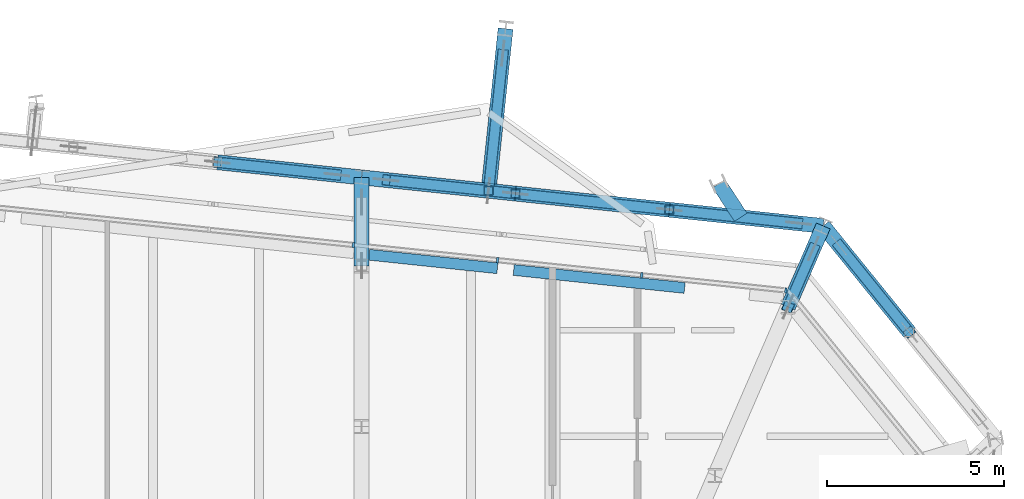
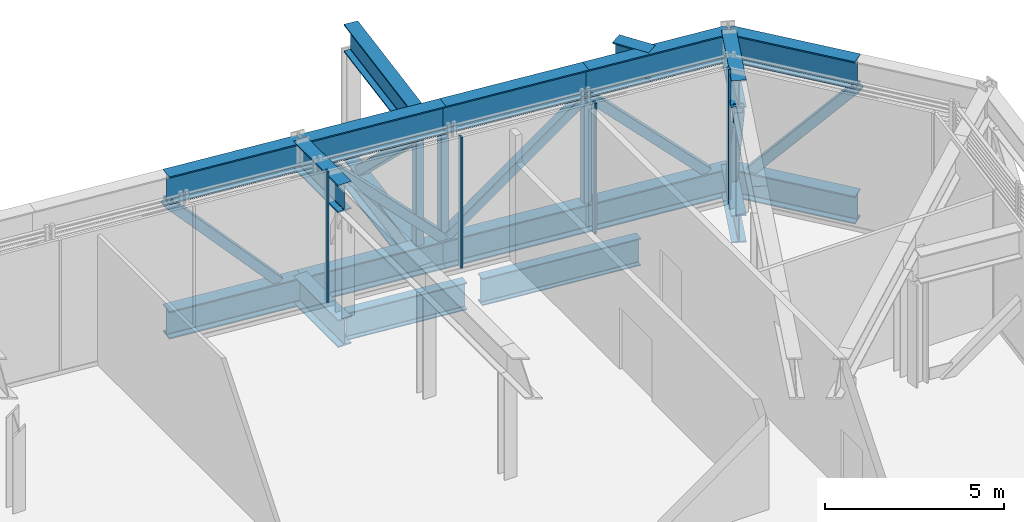
# One storey, part 19 of 36: 19 beams, 14 members, 1 element without a shape of its own.
"""IFC4 building model written with IfcOpenShell, lengths in metres."""

from ifc_helpers import new_model, si_unit, direction, frame, origin, origin_2d, place, context, subcontext, project, spatial, rectangle, hollow_rectangle, i_section, extrude, material, layer, layer_set, material_profile, profile_set, type_object, element, aggregate, save


model = new_model("IFC4")

# Units and contexts
model_context = context("Model", 3, precision=1e-05, world=origin(), true_north=direction((0.0, 1.0)))
body_context = subcontext(model_context, "Body", "Model", "MODEL_VIEW")
ifc_project = project(units=[si_unit("LENGTHUNIT", "METRE"), si_unit("AREAUNIT", "SQUARE_METRE"), si_unit("VOLUMEUNIT", "CUBIC_METRE"), si_unit("PLANEANGLEUNIT", "RADIAN"), si_unit("MASSUNIT", "GRAM", prefix="KILO")], contexts=[model_context])

# Site, building, storey
site_placement = place(None, origin())
site = spatial("IfcSite", under=ifc_project, at=site_placement, CompositionType="ELEMENT")
building_placement = place(site_placement, origin())
building = spatial("IfcBuilding", under=site, at=building_placement, Name="Millrace Tower", CompositionType="ELEMENT")
storey_placement = place(building_placement, frame((0.0, 0.0, 271.39990234375)))
storey = spatial("IfcBuildingStorey", under=building, at=storey_placement, Name="L62", CompositionType="ELEMENT", Elevation=271.39990234375)

# Curtain wall, members
ifc_material_1 = material(Name="Aluminium and glass", Category="aluminium")
ifc_layer = layer(ifc_material_1, 0.14990234375)
ifc_layer_set = layer_set([ifc_layer], Name="Aluminium and glass")
curtain_wall_type = type_object("IfcCurtainWallType", Name="CW-5 truss and plant storey louvred infill", PredefinedType="NOTDEFINED", material=ifc_layer_set)
curtain_wall_placement = place(storey_placement, origin())
curtain_wall = element("IfcCurtainWall", 1, at=curtain_wall_placement, inside=storey, type_object=curtain_wall_type, Name="Curtain wall E-F06 L62", PredefinedType="NOTDEFINED")
ifc_material_2 = material(Name="Aluminium", Category="aluminium")
ifc_material_profile_1 = material_profile(ifc_material_2, rectangle(XDim=0.06494140625, YDim=0.14990234375, at=origin_2d()))
ifc_profile_set_1 = profile_set([ifc_material_profile_1], Name="Aluminium")
member_type_1 = type_object("IfcMemberType", Name="CW-5 truss and plant storey louvred infill mullion", PredefinedType="MULLION", material=ifc_profile_set_1)
member_1_placement = place(storey_placement, frame((20.902587890625, 25.124755859375, 0.14013671875), z_axis=(0.0, 0.0, 1.0), x_axis=(-0.994521896217, 0.104528455196, 0.0)))
member_1 = element("IfcMember", 2, at=member_1_placement, type_object=member_type_1, Name="CW5 mullion E-F06.1", PredefinedType="MULLION", context=body_context, shape_type="SweptSolid", body=[
    extrude(rectangle(XDim=0.06494140625, YDim=0.14990234375, at=origin_2d()), origin(), (0.0, 0.0, 1.0), 4.4599609375),
])
member_2_placement = place(storey_placement, frame((16.824951171875, 25.553466796875, 0.14013671875), z_axis=(0.0, 0.0, 1.0), x_axis=(-0.994521896217, 0.104528455196, 0.0)))
member_2 = element("IfcMember", 3, at=member_2_placement, type_object=member_type_1, Name="CW5 mullion E-F06.2", PredefinedType="MULLION", context=body_context, shape_type="SweptSolid", body=[
    extrude(rectangle(XDim=0.06494140625, YDim=0.14990234375, at=origin_2d()), origin(), (0.0, 0.0, 1.0), 4.4599609375),
])
member_3_placement = place(storey_placement, frame((12.747314453125, 25.98193359375, 0.14013671875), z_axis=(0.0, 0.0, 1.0), x_axis=(-0.994521896217, 0.104528455196, 0.0)))
member_3 = element("IfcMember", 4, at=member_3_placement, type_object=member_type_1, Name="CW5 mullion E-F06.3", PredefinedType="MULLION", context=body_context, shape_type="SweptSolid", body=[
    extrude(rectangle(XDim=0.06494140625, YDim=0.14990234375, at=origin_2d()), origin(), (0.0, 0.0, 1.0), 4.4599609375),
])
member_4_placement = place(storey_placement, frame((8.669921875, 26.410400390625, 0.14013671875), z_axis=(0.0, 0.0, 1.0), x_axis=(-0.994521896217, 0.104528455196, 0.0)))
member_4 = element("IfcMember", 5, at=member_4_placement, type_object=member_type_1, Name="CW5 mullion E-F06.4", PredefinedType="MULLION", context=body_context, shape_type="SweptSolid", body=[
    extrude(rectangle(XDim=0.06494140625, YDim=0.14990234375, at=origin_2d()), origin(), (0.0, 0.0, 1.0), 4.4599609375),
])
aggregate(curtain_wall, [member_1, member_2, member_3, member_4])

# Beams
ifc_material_3 = material(Name="Steel ASTM A992 Grade 50", Category="steel")
ifc_material_profile_2 = material_profile(ifc_material_3, i_section(OverallWidth=0.307373046875, OverallDepth=0.927001953125, WebThickness=0.01953125, FlangeThickness=0.031982421875, FilletRadius=0.01904296875, at=origin_2d()))
ifc_profile_set_2 = profile_set([ifc_material_profile_2], Name="Steel ASTM A992 Grade 50")
beam_type_1 = type_object("IfcBeamType", Name="Ring beam short span W36x194", PredefinedType="SPANDREL", material=ifc_profile_set_2)
beam_1_placement = place(storey_placement, frame((13.205078125, 25.703857421875, -0.62353515625), z_axis=(0.994522228801, -0.104525290815, 0.0), x_axis=(0.104525290815, 0.994522228801, 0.0)))
element("IfcBeam", 6, at=beam_1_placement, inside=storey, type_object=beam_type_1, Name="RNG-E-L62-S1-07-a-b", PredefinedType="SPANDREL", context=body_context, shape_type="SweptSolid", body=[
    extrude(i_section(OverallWidth=0.307373046875, OverallDepth=0.927001953125, WebThickness=0.01953125, FlangeThickness=0.031982421875, FilletRadius=0.01904296875, at=origin_2d()), origin(), (0.0, 0.0, 1.0), 4.860595703125),
])
beam_2_placement = place(storey_placement, frame((9.115478515625, 26.1337890625, -0.62353515625), z_axis=(0.994523037817, -0.104517593021, 0.0), x_axis=(0.104517593021, 0.994523037817, 0.0)))
element("IfcBeam", 7, at=beam_2_placement, inside=storey, type_object=beam_type_1, Name="RNG-E-L62-S1-07-a-a", PredefinedType="SPANDREL", context=body_context, shape_type="SweptSolid", body=[
    extrude(i_section(OverallWidth=0.307373046875, OverallDepth=0.927001953125, WebThickness=0.01953125, FlangeThickness=0.031982421875, FilletRadius=0.01904296875, at=origin_2d()), origin(), (0.0, 0.0, 1.0), 3.648681640625),
])
ifc_material_4 = material(Name="Steel ASTM A992 Grade 50", Category="steel")
ifc_material_profile_3 = material_profile(ifc_material_4, i_section(OverallWidth=0.424072265625, OverallDepth=0.947509765625, WebThickness=0.02392578125, FlangeThickness=0.042724609375, FilletRadius=0.024169921875, at=origin_2d()))
ifc_profile_set_3 = profile_set([ifc_material_profile_3], Name="Steel ASTM A992 Grade 50")
beam_type_2 = type_object("IfcBeamType", Name="Transfer truss chord W36x302", PredefinedType="BEAM", material=ifc_profile_set_3)
for number, where, z_axis, x_axis, name in (
    (8, (24.394775390625, 23.942626953125, -0.633544921875), (-0.629339814045, 0.777130232624, 0.0), (-0.777130232624, -0.629339814045, 0.0), "TRS-L62-R09-B02"),
    (9, (24.394775390625, 23.942626953125, 3.96630859375), (-0.629339814045, 0.777130232624, 0.0), (-0.777130232624, -0.629339814045, 0.0), "TRS-L62-R09-T02"),
):
    element("IfcBeam", number, at=place(storey_placement, frame(where, z_axis=z_axis, x_axis=x_axis)), inside=storey, type_object=beam_type_2, Name=name, PredefinedType="BEAM", context=body_context, shape_type="SweptSolid", body=[
        extrude(i_section(OverallWidth=0.424072265625, OverallDepth=0.947509765625, WebThickness=0.02392578125, FlangeThickness=0.042724609375, FilletRadius=0.024169921875, at=origin_2d()), origin(), (0.0, 0.0, 1.0), 3.868896484375),
    ])
for number, where, z_axis, x_axis, name in (
    (10, (21.9599609375, 26.94921875, -0.633544921875), (-0.994520115976, 0.104545391672, 0.0), (-0.104545391672, -0.994520115976, 0.0), "TRS-L62-R10-B01"),
    (11, (21.9599609375, 26.94921875, 3.96630859375), (-0.994520115976, 0.104545391672, 0.0), (-0.104545391672, -0.994520115976, 0.0), "TRS-L62-R10-T01"),
):
    element("IfcBeam", number, at=place(storey_placement, frame(where, z_axis=z_axis, x_axis=x_axis)), inside=storey, type_object=beam_type_2, Name=name, PredefinedType="BEAM", context=body_context, shape_type="SweptSolid", body=[
        extrude(i_section(OverallWidth=0.424072265625, OverallDepth=0.947509765625, WebThickness=0.02392578125, FlangeThickness=0.042724609375, FilletRadius=0.024169921875, at=origin_2d()), origin(), (0.0, 0.0, 1.0), 4.376220703125),
    ])
for number, where, z_axis, x_axis, name in (
    (12, (17.607666015625, 27.40673828125, -0.633544921875), (-0.994519506184, 0.104551192336, 0.0), (-0.104551192336, -0.994519506184, 0.0), "TRS-L62-R10-B02"),
    (13, (17.607666015625, 27.40673828125, 3.96630859375), (-0.994519506184, 0.104551192336, 0.0), (-0.104551192336, -0.994519506184, 0.0), "TRS-L62-R10-T02"),
):
    element("IfcBeam", number, at=place(storey_placement, frame(where, z_axis=z_axis, x_axis=x_axis)), inside=storey, type_object=beam_type_2, Name=name, PredefinedType="BEAM", context=body_context, shape_type="SweptSolid", body=[
        extrude(i_section(OverallWidth=0.424072265625, OverallDepth=0.947509765625, WebThickness=0.02392578125, FlangeThickness=0.042724609375, FilletRadius=0.024169921875, at=origin_2d()), origin(), (0.0, 0.0, 1.0), 4.3759765625),
    ])
for number, where, z_axis, x_axis, name in (
    (14, (13.255615234375, 27.8642578125, -0.633544921875), (-0.994525914823, 0.104490213635, 0.0), (-0.104490213635, -0.994525914823, 0.0), "TRS-L62-R10-B03"),
    (15, (13.255615234375, 27.8642578125, 3.96630859375), (-0.994525914823, 0.104490213635, 0.0), (-0.104490213635, -0.994525914823, 0.0), "TRS-L62-R10-T03"),
):
    element("IfcBeam", number, at=place(storey_placement, frame(where, z_axis=z_axis, x_axis=x_axis)), inside=storey, type_object=beam_type_2, Name=name, PredefinedType="BEAM", context=body_context, shape_type="SweptSolid", body=[
        extrude(i_section(OverallWidth=0.424072265625, OverallDepth=0.947509765625, WebThickness=0.02392578125, FlangeThickness=0.042724609375, FilletRadius=0.024169921875, at=origin_2d()), origin(), (0.0, 0.0, 1.0), 4.376220703125),
    ])
for number, where, z_axis, x_axis, name in (
    (16, (8.9033203125, 28.321533203125, -0.633544921875), (-0.994517845065, 0.104566992152, 0.0), (-0.104566992152, -0.994517845065, 0.0), "TRS-L62-R11-B01"),
    (17, (8.9033203125, 28.321533203125, 3.96630859375), (-0.994517845065, 0.104566992152, 0.0), (-0.104566992152, -0.994517845065, 0.0), "TRS-L62-R11-T01"),
):
    element("IfcBeam", number, at=place(storey_placement, frame(where, z_axis=z_axis, x_axis=x_axis)), inside=storey, type_object=beam_type_2, Name=name, PredefinedType="BEAM", context=body_context, shape_type="SweptSolid", body=[
        extrude(i_section(OverallWidth=0.424072265625, OverallDepth=0.947509765625, WebThickness=0.02392578125, FlangeThickness=0.042724609375, FilletRadius=0.024169921875, at=origin_2d()), origin(), (0.0, 0.0, 1.0), 4.099853515625),
    ])
for number, where, z_axis, x_axis, name in (
    (18, (21.9599609375, 26.94921875, -0.633544921875), (-0.398158242933, -0.917316746595, 0.0), (0.917316746595, -0.398158242933, 0.0), "TRS-L62-C10-B01"),
    (19, (21.9599609375, 26.94921875, 3.96630859375), (-0.398158242933, -0.917316746595, 0.0), (0.917316746595, -0.398158242933, 0.0), "TRS-L62-C10-T01"),
    (20, (8.9033203125, 28.321533203125, -0.633544921875), (0.0, -1.0, 0.0), (1.0, 0.0, 0.0), "TRS-L62-C11-B01"),
    (21, (8.9033203125, 28.321533203125, 3.96630859375), (0.0, -1.0, 0.0), (1.0, 0.0, 0.0), "TRS-L62-C11-T01"),
):
    element("IfcBeam", number, at=place(storey_placement, frame(where, z_axis=z_axis, x_axis=x_axis)), inside=storey, type_object=beam_type_2, Name=name, PredefinedType="BEAM", context=body_context, shape_type="SweptSolid", body=[
        extrude(i_section(OverallWidth=0.424072265625, OverallDepth=0.947509765625, WebThickness=0.02392578125, FlangeThickness=0.042724609375, FilletRadius=0.024169921875, at=origin_2d()), origin(), (0.0, 0.0, 1.0), 2.5),
    ])
for number, where, z_axis, x_axis, name in (
    (22, (12.974609375, 32.5283203125, -0.633544921875), (-0.104494027333, -0.994525514128, 0.0), (0.994525514128, -0.104494027333, 0.0), "TRS-L62-B-D-X10-B01"),
    (23, (12.974609375, 32.5283203125, 3.96630859375), (-0.104494027333, -0.994525514128, 0.0), (0.994525514128, -0.104494027333, 0.0), "TRS-L62-B-D-X10-T01"),
):
    element("IfcBeam", number, at=place(storey_placement, frame(where, z_axis=z_axis, x_axis=x_axis)), inside=storey, type_object=beam_type_2, Name=name, PredefinedType="BEAM", context=body_context, shape_type="SweptSolid", body=[
        extrude(i_section(OverallWidth=0.424072265625, OverallDepth=0.947509765625, WebThickness=0.02392578125, FlangeThickness=0.042724609375, FilletRadius=0.024169921875, at=origin_2d()), origin(), (0.0, 0.0, 1.0), 4.397216796875),
    ])
beam_3_placement = place(storey_placement, frame((19.006103515625, 28.146484375, 3.96630859375), z_axis=(0.546497018109, -0.837461049362, 0.0), x_axis=(0.837461049362, 0.546497018109, 0.0)))
element("IfcBeam", 24, at=beam_3_placement, inside=storey, type_object=beam_type_2, Name="TRS-L62-D-X09-TIE", PredefinedType="BEAM", context=body_context, shape_type="SweptSolid", body=[
    extrude(i_section(OverallWidth=0.424072265625, OverallDepth=0.947509765625, WebThickness=0.02392578125, FlangeThickness=0.042724609375, FilletRadius=0.024169921875, at=origin_2d()), origin(), (0.0, 0.0, 1.0), 1.136962890625),
])

# Members
ifc_material_5 = material(Name="Steel ASTM A500 Grade C", Category="steel")
ifc_material_profile_4 = material_profile(ifc_material_5, hollow_rectangle(XDim=0.3046875, YDim=0.3046875, WallThickness=0.0126953125, InnerFilletRadius=0.00634765625, OuterFilletRadius=0.01904296875, at=origin_2d()))
ifc_profile_set_4 = profile_set([ifc_material_profile_4], Name="Steel ASTM A500 Grade C")
member_type_2 = type_object("IfcMemberType", Name="Transfer truss diagonal HSS12x12x1/2", PredefinedType="BRACE", material=ifc_profile_set_4)
member_5_placement = place(storey_placement, frame((22.400390625, 26.4052734375, -0.159912109375), z_axis=(0.412432891534, -0.509268034876, 0.755344410606), x_axis=(0.777119266758, 0.629353354828, 0.0)))
element("IfcMember", 25, at=member_5_placement, inside=storey, type_object=member_type_2, Name="TRS-L62-R09-D02", PredefinedType="BRACE", context=body_context, shape_type="SweptSolid", body=[
    extrude(hollow_rectangle(XDim=0.3046875, YDim=0.3046875, WallThickness=0.0126953125, InnerFilletRadius=0.00634765625, OuterFilletRadius=0.01904296875, at=origin_2d()), origin(), (0.0, 0.0, 1.0), 4.835693359375),
])
member_6_placement = place(storey_placement, frame((21.263671875, 27.0224609375, -0.159912109375), z_axis=(-0.705489731102, 0.074152977413, 0.704830174759), x_axis=(-0.104532672253, -0.994521452977, 0.0)))
element("IfcMember", 26, at=member_6_placement, inside=storey, type_object=member_type_2, Name="TRS-L62-R10-D01", PredefinedType="BRACE", context=body_context, shape_type="SweptSolid", body=[
    extrude(hollow_rectangle(XDim=0.3046875, YDim=0.3046875, WallThickness=0.0126953125, InnerFilletRadius=0.00634765625, OuterFilletRadius=0.01904296875, at=origin_2d()), origin(), (0.0, 0.0, 1.0), 5.18212890625),
])
member_7_placement = place(storey_placement, frame((13.255615234375, 27.8642578125, -0.159912109375), z_axis=(0.763505127219, -0.080265264692, 0.640794357025), x_axis=(0.104551192336, 0.994519506184, 0.0)))
element("IfcMember", 27, at=member_7_placement, inside=storey, type_object=member_type_2, Name="TRS-L62-R10-D02", PredefinedType="BRACE", context=body_context, shape_type="SweptSolid", body=[
    extrude(hollow_rectangle(XDim=0.3046875, YDim=0.3046875, WallThickness=0.0126953125, InnerFilletRadius=0.00634765625, OuterFilletRadius=0.01904296875, at=origin_2d()), origin(), (0.0, 0.0, 1.0), 5.7001953125),
])
member_8_placement = place(storey_placement, frame((13.255615234375, 27.8642578125, -0.159912109375), z_axis=(-0.705492194913, 0.074106125048, 0.704832636267), x_axis=(-0.104466985142, -0.994528355058, 0.0)))
element("IfcMember", 28, at=member_8_placement, inside=storey, type_object=member_type_2, Name="TRS-L62-R10-D03", PredefinedType="BRACE", context=body_context, shape_type="SweptSolid", body=[
    extrude(hollow_rectangle(XDim=0.3046875, YDim=0.3046875, WallThickness=0.0126953125, InnerFilletRadius=0.00634765625, OuterFilletRadius=0.01904296875, at=origin_2d()), origin(), (0.0, 0.0, 1.0), 5.18212890625),
])
member_9_placement = place(storey_placement, frame((8.207275390625, 28.394775390625, -0.159912109375), z_axis=(-0.67760888442, 0.071234551315, 0.731964369661), x_axis=(-0.104550220202, -0.994519608382, 0.0)))
element("IfcMember", 29, at=member_9_placement, inside=storey, type_object=member_type_2, Name="TRS-L62-R11-D01", PredefinedType="BRACE", context=body_context, shape_type="SweptSolid", body=[
    extrude(hollow_rectangle(XDim=0.3046875, YDim=0.3046875, WallThickness=0.0126953125, InnerFilletRadius=0.00634765625, OuterFilletRadius=0.01904296875, at=origin_2d()), origin(), (0.0, 0.0, 1.0), 4.990234375),
])
member_10_placement = place(storey_placement, frame((21.68115234375, 26.30712890625, -0.159912109375), z_axis=(-0.175971403621, -0.405483680644, 0.897004487079), x_axis=(0.917339403323, -0.398106040034, 0.0)))
element("IfcMember", 30, at=member_10_placement, inside=storey, type_object=member_type_2, Name="TRS-L62-C10-D01", PredefinedType="BRACE", context=body_context, shape_type="SweptSolid", body=[
    extrude(hollow_rectangle(XDim=0.3046875, YDim=0.3046875, WallThickness=0.0126953125, InnerFilletRadius=0.00634765625, OuterFilletRadius=0.01904296875, at=origin_2d()), origin(), (0.0, 0.0, 1.0), 4.072021484375),
])
member_11_placement = place(storey_placement, frame((12.901611328125, 31.832275390625, -0.159912109375), z_axis=(-0.076388248077, -0.726692264413, 0.682702855126), x_axis=(0.994520499138, -0.10454174666, 0.0)))
element("IfcMember", 31, at=member_11_placement, inside=storey, type_object=member_type_2, Name="TRS-L62-B-D-X10-D01", PredefinedType="BRACE", context=body_context, shape_type="SweptSolid", body=[
    extrude(hollow_rectangle(XDim=0.3046875, YDim=0.3046875, WallThickness=0.0126953125, InnerFilletRadius=0.00634765625, OuterFilletRadius=0.01904296875, at=origin_2d()), origin(), (0.0, 0.0, 1.0), 5.35009765625),
])
ifc_material_6 = material(Name="Steel ASTM A500 Grade C", Category="steel")
ifc_material_profile_5 = material_profile(ifc_material_6, hollow_rectangle(XDim=0.25390625, YDim=0.25390625, WallThickness=0.0126953125, InnerFilletRadius=0.00634765625, OuterFilletRadius=0.01904296875, at=origin_2d()))
ifc_profile_set_5 = profile_set([ifc_material_profile_5], Name="Steel ASTM A500 Grade C")
member_type_3 = type_object("IfcMemberType", Name="Transfer truss post HSS10x10x1/2", PredefinedType="POST", material=ifc_profile_set_5)
for number, where, z_axis, x_axis, name in (
    (32, (17.607666015625, 27.40673828125, -0.159912109375), (0.0, 0.0, 1.0), (1.0, 0.0, 0.0), "TRS-L62-R10-V01"),
    (33, (13.255615234375, 27.8642578125, -0.159912109375), (0.0, 0.0, 1.0), (1.0, 0.0, 0.0), "TRS-L62-R10-V02"),
    (34, (12.492919921875, 27.9443359375, -0.159912109375), (0.0, 0.0, 1.0), (1.0, 0.0, 0.0), "TRS-L62-B-D-X10-V01"),
):
    element("IfcMember", number, at=place(storey_placement, frame(where, z_axis=z_axis, x_axis=x_axis)), inside=storey, type_object=member_type_3, Name=name, PredefinedType="POST", context=body_context, shape_type="SweptSolid", body=[
        extrude(hollow_rectangle(XDim=0.25390625, YDim=0.25390625, WallThickness=0.0126953125, InnerFilletRadius=0.00634765625, OuterFilletRadius=0.01904296875, at=origin_2d()), origin(), (0.0, 0.0, 1.0), 3.652587890625),
    ])

save(model, "model.ifc")
